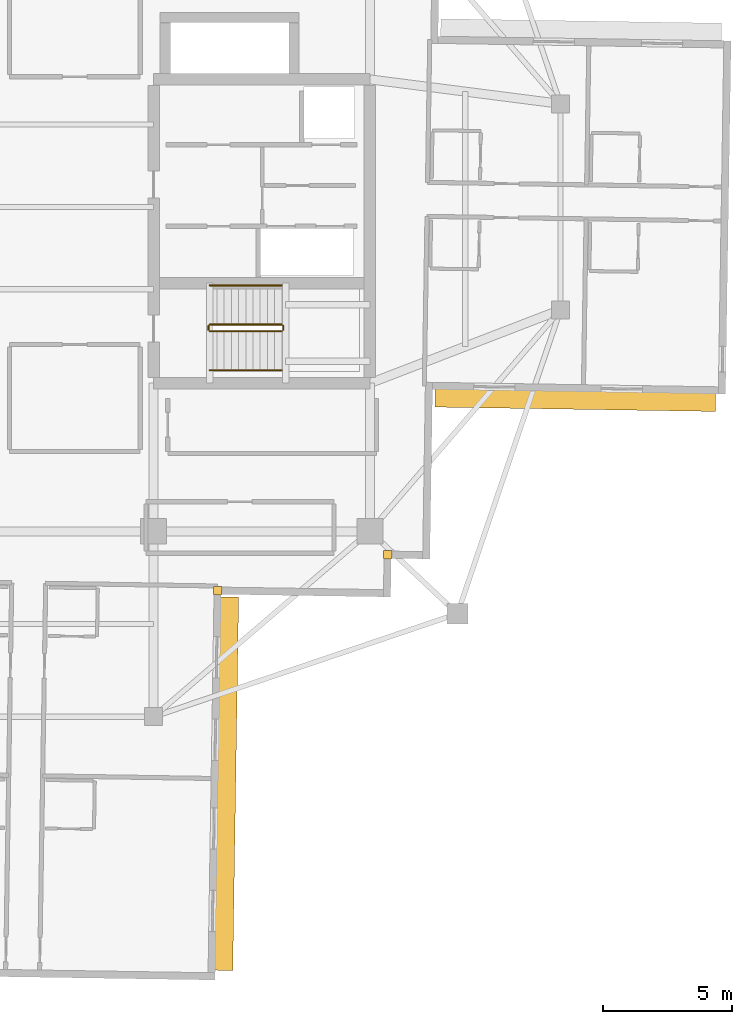
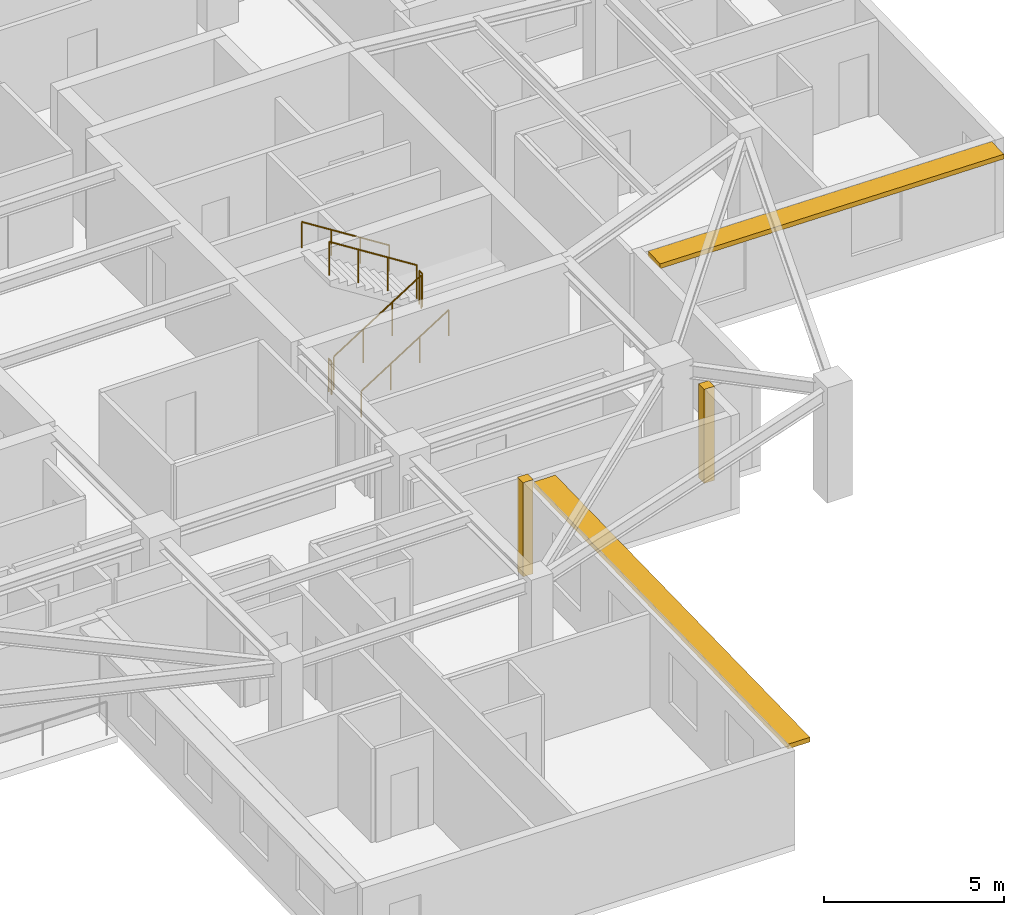
# One storey, part 10 of 12: 6 railings, 2 coverings, 2 shading devices.
"""IFC4 building model written with IfcOpenShell, lengths in metres."""

from ifc_helpers import new_model, si_unit, direction, frame, origin, origin_2d, place, context, subcontext, project, spatial, rectangle, circle, extrude, material, layer, layer_set, type_object, element, save


model = new_model("IFC4")

# Units and contexts
model_context = context("Model", 3, precision=1e-05, world=origin(), true_north=direction((0.0, 1.0)))
body_context = subcontext(model_context, "Body", "Model", "MODEL_VIEW")
ifc_project = project(units=[si_unit("LENGTHUNIT", "METRE"), si_unit("AREAUNIT", "SQUARE_METRE"), si_unit("VOLUMEUNIT", "CUBIC_METRE"), si_unit("PLANEANGLEUNIT", "RADIAN"), si_unit("MASSUNIT", "GRAM", prefix="KILO")], contexts=[model_context])

# Site, building, storey
site_placement = place(None, origin())
site = spatial("IfcSite", under=ifc_project, at=site_placement, CompositionType="ELEMENT")
building_placement = place(site_placement, origin())
building = spatial("IfcBuilding", under=site, at=building_placement, Name="Qingluan Cross Belvedere", CompositionType="ELEMENT")
storey_placement = place(building_placement, frame((0.0, 0.0, 261.60009765625)))
storey = spatial("IfcBuildingStorey", under=building, at=storey_placement, Name="L65", CompositionType="ELEMENT", Elevation=261.60009765625)

# Coverings
ifc_material_1 = material(Name="Precast concrete C45", Category="concrete")
ifc_layer_1 = layer(ifc_material_1, 0.1201171875, Name="ConcreteSpandrelCladding_120")
ifc_layer_set_1 = layer_set([ifc_layer_1], Name="Precast concrete C45")
covering_type = type_object("IfcCoveringType", Name="ConcreteSpandrelCladding_120", PredefinedType="CLADDING", material=ifc_layer_set_1)
for number, where, z_axis, x_axis, name in (
    (1, (13.089599609375, -13.50732421875, 0.0), (0.0, 0.0, 1.0), (0.999876632482, -0.015707317312, 0.0), "Corner closure L65-SE1"),
    (2, (6.48681640625, -14.90380859375, 0.0), (0.0, 0.0, 1.0), (0.999876632482, -0.015707317312, 0.0), "Corner closure L65-SE2"),
):
    element("IfcCovering", number, at=place(storey_placement, frame(where, z_axis=z_axis, x_axis=x_axis)), inside=storey, type_object=covering_type, Name=name, PredefinedType="CLADDING", context=body_context, shape_type="SweptSolid", body=[
        extrude(rectangle(XDim=0.320068359375, YDim=0.320068359375, at=origin_2d()), origin(), (0.0, 0.0, 1.0), 3.179931640625),
    ])

# Shading devices
ifc_material_2 = material(Name="Precast concrete C45", Category="concrete")
ifc_layer_2 = layer(ifc_material_2, 0.139892578125, Name="ConcreteSunshadeBand_700")
ifc_layer_set_2 = layer_set([ifc_layer_2], Name="Precast concrete C45")
shading_device_type = type_object("IfcShadingDeviceType", Name="ConcreteSunshadeBand_700", PredefinedType="USERDEFINED", material=ifc_layer_set_2)
shading_device_1_placement = place(storey_placement, frame((20.37451171875, -7.510986328125, 3.0), z_axis=(0.0, 0.0, 1.0), x_axis=(0.999876562775, -0.015711753967, 0.0)))
element("IfcShadingDevice", 3, at=shading_device_1_placement, inside=storey, type_object=shading_device_type, Name="Concrete SUNSHADE L65-EA", ObjectType="SUNSHADE", PredefinedType="USERDEFINED", context=body_context, shape_type="SweptSolid", body=[
    extrude(rectangle(XDim=10.89990234375, YDim=0.699951171875, at=origin_2d()), origin(), (0.0, 0.0, 1.0), 0.159912109375),
])
shading_device_2_placement = place(storey_placement, frame((6.839111328125, -22.400146484375, 3.0), z_axis=(0.0, 0.0, 1.0), x_axis=(0.015707468526, 0.999876630106, 0.0)))
element("IfcShadingDevice", 4, at=shading_device_2_placement, inside=storey, type_object=shading_device_type, Name="Concrete SUNSHADE L65-SB", ObjectType="SUNSHADE", PredefinedType="USERDEFINED", context=body_context, shape_type="SweptSolid", body=[
    extrude(rectangle(XDim=14.5, YDim=0.699951171875, at=origin_2d()), origin(), (0.0, 0.0, 1.0), 0.159912109375),
])

# Railings
ifc_material_3 = material(Name="Brushed stainless steel tubular handrail", Category="steel")
railing_type_1 = type_object("IfcRailingType", Name="StairPitchHandrail_900", PredefinedType="HANDRAIL", material=ifc_material_3)
railing_1_placement = place(storey_placement, frame((6.179931640625, -6.35009765625, 0.17724609375)))
element("IfcRailing", 5, at=railing_1_placement, inside=storey, type_object=railing_type_1, Name="L65 ST2 stair handrail 1", PredefinedType="HANDRAIL", context=body_context, shape_type="SweptSolid", body=[
    extrude(circle(Radius=0.02392578125, at=origin_2d()), frame((0.0, 0.0, 0.8759765625), z_axis=(0.844908973607, 0.0, 0.534910110503), x_axis=(0.0, 1.0, 0.0)), (0.0, 0.0, 1.0), 3.31396484375),
    extrude(circle(Radius=0.02099609375, at=origin_2d()), origin(), (0.0, 0.0, 1.0), 0.851806640625),
    extrude(circle(Radius=0.02099609375, at=origin_2d()), frame((0.933349609375, 0.0, 0.5908203125)), (0.0, 0.0, 1.0), 0.851806640625),
    extrude(circle(Radius=0.02099609375, at=origin_2d()), frame((1.86669921875, 0.0, 1.181884765625)), (0.0, 0.0, 1.0), 0.851806640625),
    extrude(circle(Radius=0.02099609375, at=origin_2d()), frame((2.800048828125, 0.0, 1.772705078125)), (0.0, 0.0, 1.0), 0.851806640625),
])
railing_2_placement = place(storey_placement, frame((8.97998046875, -3.050048828125, 2.127197265625)))
element("IfcRailing", 6, at=railing_2_placement, inside=storey, type_object=railing_type_1, Name="L65 ST2 stair handrail 2", PredefinedType="HANDRAIL", context=body_context, shape_type="SweptSolid", body=[
    extrude(circle(Radius=0.02392578125, at=origin_2d()), frame((0.0, 0.0, 0.8759765625), z_axis=(-0.844908973607, 0.0, 0.534910110503), x_axis=(0.0, -1.0, 0.0)), (0.0, 0.0, 1.0), 3.31396484375),
    extrude(circle(Radius=0.02099609375, at=origin_2d()), origin(), (0.0, 0.0, 1.0), 0.851806640625),
    extrude(circle(Radius=0.02099609375, at=origin_2d()), frame((-0.933349609375, 0.0, 0.5908203125)), (0.0, 0.0, 1.0), 0.851806640625),
    extrude(circle(Radius=0.02099609375, at=origin_2d()), frame((-1.86669921875, 0.0, 1.181884765625)), (0.0, 0.0, 1.0), 0.851806640625),
    extrude(circle(Radius=0.02099609375, at=origin_2d()), frame((-2.800048828125, 0.0, 1.772705078125)), (0.0, 0.0, 1.0), 0.851806640625),
])
ifc_material_4 = material(Name="Painted steel stair well guard", Category="steel")
railing_type_2 = type_object("IfcRailingType", Name="StairWellGuard_1150", PredefinedType="BALUSTRADE", material=ifc_material_4)
railing_3_placement = place(storey_placement, frame((6.179931640625, -4.830078125, 0.17724609375)))
element("IfcRailing", 7, at=railing_3_placement, inside=storey, type_object=railing_type_2, Name="L65 ST2 stair guard 1", PredefinedType="BALUSTRADE", context=body_context, shape_type="SweptSolid", body=[
    extrude(circle(Radius=0.02392578125, at=origin_2d()), frame((0.0, 0.0, 1.1259765625), z_axis=(0.844908973607, 0.0, 0.534910110503), x_axis=(0.0, 1.0, 0.0)), (0.0, 0.0, 1.0), 3.31396484375),
    extrude(circle(Radius=0.02099609375, at=origin_2d()), origin(), (0.0, 0.0, 1.0), 1.101806640625),
    extrude(circle(Radius=0.02099609375, at=origin_2d()), frame((0.933349609375, 0.0, 0.5908203125)), (0.0, 0.0, 1.0), 1.101806640625),
    extrude(circle(Radius=0.02099609375, at=origin_2d()), frame((1.86669921875, 0.0, 1.181884765625)), (0.0, 0.0, 1.0), 1.101806640625),
    extrude(circle(Radius=0.02099609375, at=origin_2d()), frame((2.800048828125, 0.0, 1.772705078125)), (0.0, 0.0, 1.0), 1.101806640625),
])
railing_4_placement = place(storey_placement, frame((9.030029296875, -4.780029296875, 1.949951171875)))
element("IfcRailing", 8, at=railing_4_placement, inside=storey, type_object=railing_type_2, Name="L65 ST2 stair guard 2", PredefinedType="BALUSTRADE", context=body_context, shape_type="SweptSolid", body=[
    extrude(circle(Radius=0.02392578125, at=origin_2d()), frame((0.0, 0.0, 1.1259765625), z_axis=(0.0, 1.0, 0.0), x_axis=(-1.0, 0.0, 0.0)), (0.0, 0.0, 1.0), 0.159912109375),
    extrude(circle(Radius=0.02099609375, at=origin_2d()), origin(), (0.0, 0.0, 1.0), 1.101806640625),
    extrude(circle(Radius=0.02099609375, at=origin_2d()), frame((0.0, 0.159912109375, 0.0)), (0.0, 0.0, 1.0), 1.101806640625),
])
railing_5_placement = place(storey_placement, frame((8.97998046875, -4.570068359375, 2.127197265625)))
element("IfcRailing", 9, at=railing_5_placement, inside=storey, type_object=railing_type_2, Name="L65 ST2 stair guard 3", PredefinedType="BALUSTRADE", context=body_context, shape_type="SweptSolid", body=[
    extrude(circle(Radius=0.02392578125, at=origin_2d()), frame((0.0, 0.0, 1.1259765625), z_axis=(-0.844908973607, 0.0, 0.534910110503), x_axis=(0.0, -1.0, 0.0)), (0.0, 0.0, 1.0), 3.31396484375),
    extrude(circle(Radius=0.02099609375, at=origin_2d()), origin(), (0.0, 0.0, 1.0), 1.101806640625),
    extrude(circle(Radius=0.02099609375, at=origin_2d()), frame((-0.933349609375, 0.0, 0.5908203125)), (0.0, 0.0, 1.0), 1.101806640625),
    extrude(circle(Radius=0.02099609375, at=origin_2d()), frame((-1.86669921875, 0.0, 1.181884765625)), (0.0, 0.0, 1.0), 1.101806640625),
    extrude(circle(Radius=0.02099609375, at=origin_2d()), frame((-2.800048828125, 0.0, 1.772705078125)), (0.0, 0.0, 1.0), 1.101806640625),
])
railing_6_placement = place(storey_placement, frame((6.1298828125, -4.780029296875, 0.0)))
element("IfcRailing", 10, at=railing_6_placement, inside=storey, type_object=railing_type_2, Name="L65 ST2 stair guard 4", PredefinedType="BALUSTRADE", context=body_context, shape_type="SweptSolid", body=[
    extrude(circle(Radius=0.02392578125, at=origin_2d()), frame((0.0, 0.0, 1.1259765625), z_axis=(0.0, 1.0, 0.0), x_axis=(-1.0, 0.0, 0.0)), (0.0, 0.0, 1.0), 0.159912109375),
    extrude(circle(Radius=0.02099609375, at=origin_2d()), origin(), (0.0, 0.0, 1.0), 1.101806640625),
    extrude(circle(Radius=0.02099609375, at=origin_2d()), frame((0.0, 0.159912109375, 0.0)), (0.0, 0.0, 1.0), 1.101806640625),
])

save(model, "model.ifc")
